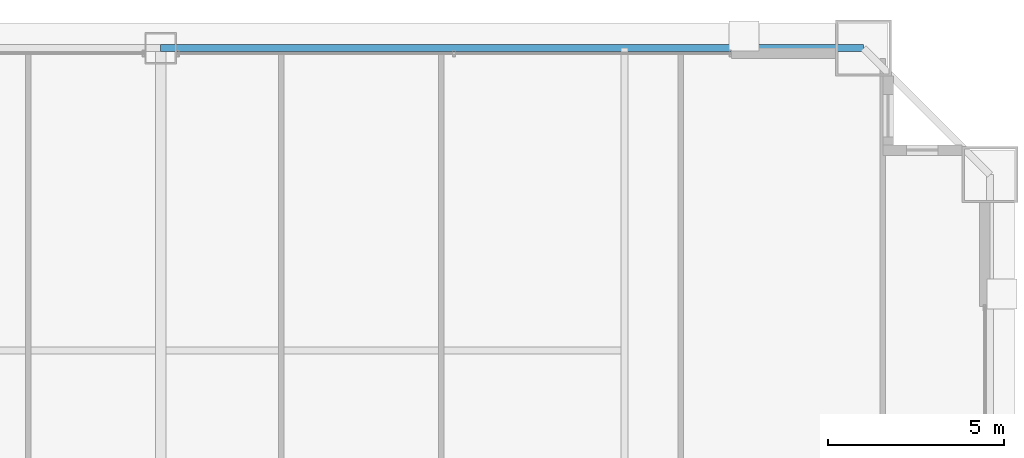
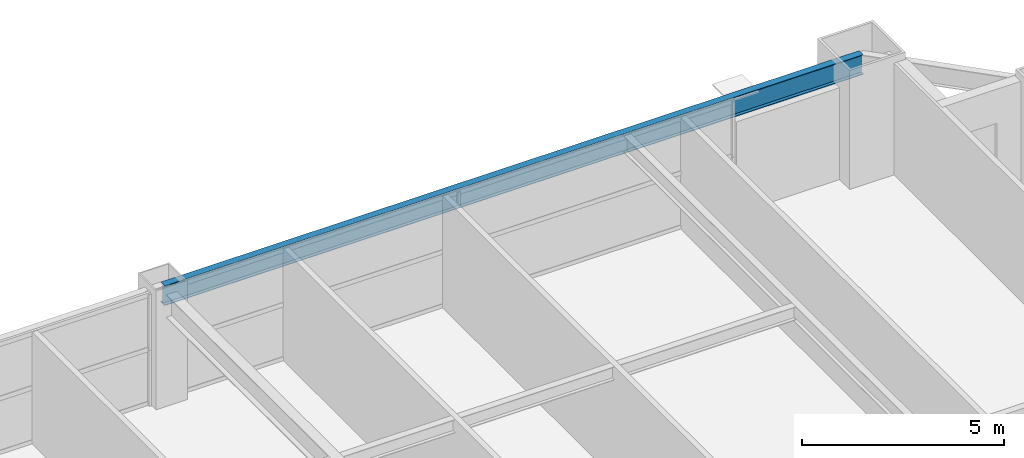
# One storey, part 31 of 38: 1 beam.
"""IFC4 building model written with IfcOpenShell, lengths in metres."""

from ifc_helpers import new_model, si_unit, direction, frame, origin, origin_2d, place, context, subcontext, project, spatial, i_section, extrude, source, transform, mapped, material, material_profile, profile_set, type_object, element, save


model = new_model("IFC4")

# Units and contexts
model_context = context("Model", 3, precision=1e-05, world=origin(), true_north=direction((0.0, 1.0)))
body_context = subcontext(model_context, "Body", "Model", "MODEL_VIEW")
ifc_project = project(units=[si_unit("LENGTHUNIT", "METRE"), si_unit("AREAUNIT", "SQUARE_METRE"), si_unit("VOLUMEUNIT", "CUBIC_METRE"), si_unit("PLANEANGLEUNIT", "RADIAN"), si_unit("MASSUNIT", "GRAM", prefix="KILO"), si_unit("THERMODYNAMICTEMPERATUREUNIT", "KELVIN"), si_unit("POWERUNIT", "WATT")], contexts=[model_context])

# Site, building, storey
site_placement = place(None, origin())
site = spatial("IfcSite", under=ifc_project, at=site_placement, CompositionType="ELEMENT")
building_placement = place(site_placement, origin())
building = spatial("IfcBuilding", under=site, at=building_placement, Name="Yuzanri Waterfront Tower", CompositionType="ELEMENT")
storey_placement = place(building_placement, frame((0.0, 0.0, 97.39990234375)))
storey = spatial("IfcBuildingStorey", under=building, at=storey_placement, Name="L25", CompositionType="ELEMENT", Elevation=97.39990234375)

# Beam
ifc_material = material(Name="Steel Q355B", Category="steel")
ifc_material_profile = material_profile(ifc_material, i_section(OverallWidth=0.199951171875, OverallDepth=0.60009765625, WebThickness=0.010986328125, FlangeThickness=0.01708984375, at=origin_2d()), Name="HN 600x200x11x17")
ifc_profile_set = profile_set([ifc_material_profile], Name="Steel Q355B")
beam_type = type_object("IfcBeamType", Name="Perimeter Spandrel Q355B HN 600x200", PredefinedType="SPANDREL", material=ifc_profile_set)
shared_shape = source(origin(), body_context, "Body", "SweptSolid", [
    extrude(i_section(OverallWidth=0.199951171875, OverallDepth=0.60009765625, WebThickness=0.010986328125, FlangeThickness=0.01708984375, at=origin_2d()), origin(), (0.0, 0.0, 1.0), 20.0),
])
beam_placement = place(storey_placement, frame((57.0, 49.39990234375, 3.080078125), z_axis=(-1.0, 0.0, 0.0), x_axis=(0.0, -1.0, 0.0)))
element("IfcBeam", 1, at=beam_placement, inside=storey, type_object=beam_type, Name="L25 Perimeter Spandrel N3-N2", PredefinedType="SPANDREL", context=body_context, shape_type="MappedRepresentation", body=[
    mapped(shared_shape, transform((0.0, 0.0, 0.0), scale=1.0)),
])

save(model, "model.ifc")
